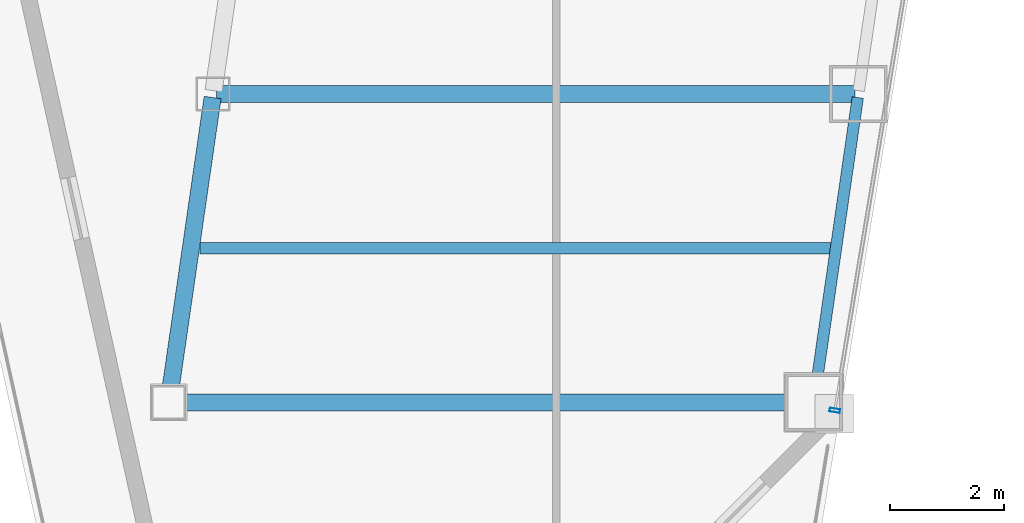
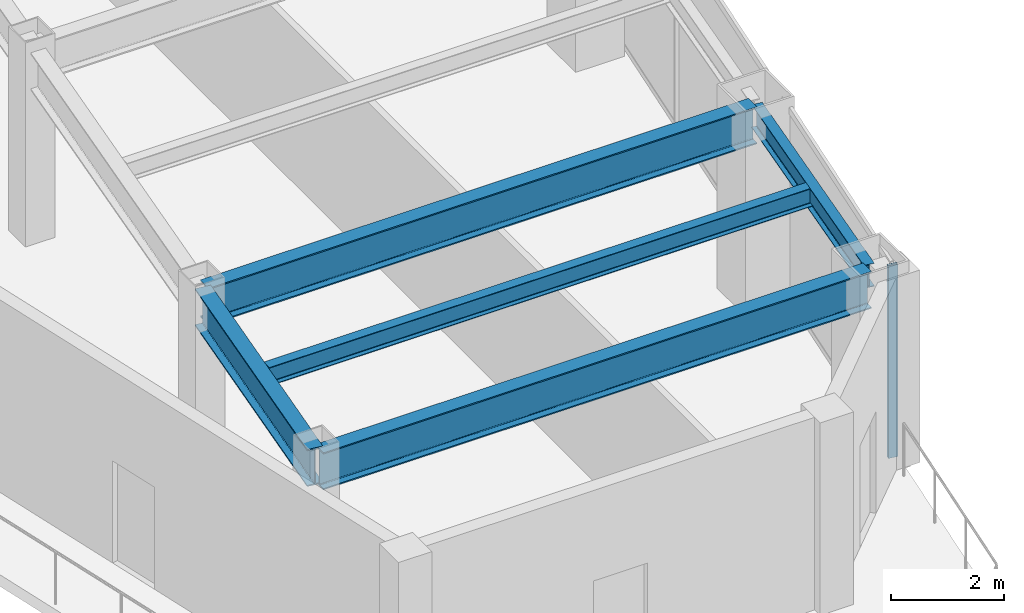
# One storey, part 10 of 35: 5 beams, 1 member, 1 element without a shape of its own.
"""IFC4 building model written with IfcOpenShell, lengths in metres."""

from ifc_helpers import new_model, si_unit, direction, frame, origin, origin_2d, place, context, subcontext, project, spatial, hollow_rectangle, i_section, extrude, material, material_profile, profile_set, type_object, element, aggregate, save


model = new_model("IFC4")

# Units and contexts
model_context = context("Model", 3, precision=1e-05, world=origin(), true_north=direction((0.0, 1.0)))
body_context = subcontext(model_context, "Body", "Model", "MODEL_VIEW")
ifc_project = project(units=[si_unit("LENGTHUNIT", "METRE"), si_unit("AREAUNIT", "SQUARE_METRE"), si_unit("VOLUMEUNIT", "CUBIC_METRE"), si_unit("PLANEANGLEUNIT", "RADIAN"), si_unit("MASSUNIT", "GRAM", prefix="KILO")], contexts=[model_context])

# Site, building, storey
site_placement = place(None, origin())
site = spatial("IfcSite", under=ifc_project, at=site_placement, CompositionType="ELEMENT")
building_placement = place(site_placement, origin())
building = spatial("IfcBuilding", under=site, at=building_placement, Name="Saevonmaru Cultural Tower", CompositionType="ELEMENT")
storey_placement = place(building_placement, frame((0.0, 0.0, 101.60009765625)))
storey = spatial("IfcBuildingStorey", under=building, at=storey_placement, Name="L21", CompositionType="ELEMENT", Elevation=101.60009765625)

# Beams
ifc_material_1 = material(Name="Steel SM420", Category="steel")
ifc_material_profile_1 = material_profile(ifc_material_1, i_section(OverallWidth=0.300048828125, OverallDepth=0.800048828125, WebThickness=0.013916015625, FlangeThickness=0.02587890625, FilletRadius=0.028076171875, at=origin_2d()), Name="H-800x300x14x26")
ifc_profile_set_1 = profile_set([ifc_material_profile_1], Name="Steel SM420")
beam_type_1 = type_object("IfcBeamType", Name="BM-G-H800", PredefinedType="BEAM", material=ifc_profile_set_1)
beam_1_placement = place(storey_placement, frame((37.300537109375, 10.659423828125, 3.75), z_axis=(0.142977693794, 0.989725911087, 0.0), x_axis=(-0.989725911087, 0.142977693794, 0.0)))
element("IfcBeam", 1, at=beam_1_placement, inside=storey, type_object=beam_type_1, Name="L21 East Atrium Girder 1", PredefinedType="BEAM", context=body_context, shape_type="SweptSolid", body=[
    extrude(i_section(OverallWidth=0.300048828125, OverallDepth=0.800048828125, WebThickness=0.013916015625, FlangeThickness=0.02587890625, FilletRadius=0.028076171875, at=origin_2d()), origin(), (0.0, 0.0, 1.0), 5.336181640625),
])
for number, where, z_axis, x_axis, name in (
    (2, (37.35205078125, 10.60009765625, 3.75), (1.0, 0.0, 0.0), (0.0, 1.0, 0.0), "L21 East Wing Transverse Girder 1"),
    (3, (38.132080078125, 16.0, 3.75), (1.0, 0.0, 0.0), (0.0, 1.0, 0.0), "L21 East Wing Transverse Girder 2"),
):
    element("IfcBeam", number, at=place(storey_placement, frame(where, z_axis=z_axis, x_axis=x_axis)), inside=storey, type_object=beam_type_1, Name=name, PredefinedType="BEAM", context=body_context, shape_type="SweptSolid", body=[
        extrude(i_section(OverallWidth=0.300048828125, OverallDepth=0.800048828125, WebThickness=0.013916015625, FlangeThickness=0.02587890625, FilletRadius=0.028076171875, at=origin_2d()), origin(), (0.0, 0.0, 1.0), 11.179931640625),
    ])
ifc_material_2 = material(Name="Steel SM355", Category="steel")
ifc_material_profile_2 = material_profile(ifc_material_2, i_section(OverallWidth=0.199951171875, OverallDepth=0.39990234375, WebThickness=0.008056640625, FlangeThickness=0.012939453125, FilletRadius=0.01611328125, at=origin_2d()), Name="H-400x200x8x13")
ifc_profile_set_2 = profile_set([ifc_material_profile_2], Name="Steel SM355")
beam_type_2 = type_object("IfcBeamType", Name="BM-J-H400", PredefinedType="JOIST", material=ifc_profile_set_2)
beam_2_placement = place(storey_placement, frame((37.840087890625, 13.300048828125, 3.949951171875), z_axis=(1.0, 0.0, 0.0), x_axis=(0.0, 1.0, 0.0)))
element("IfcBeam", 4, at=beam_2_placement, inside=storey, type_object=beam_type_2, Name="L21 East Wing Floor Joist 1", PredefinedType="JOIST", context=body_context, shape_type="SweptSolid", body=[
    extrude(i_section(OverallWidth=0.199951171875, OverallDepth=0.39990234375, WebThickness=0.008056640625, FlangeThickness=0.012939453125, FilletRadius=0.01611328125, at=origin_2d()), origin(), (0.0, 0.0, 1.0), 11.08203125),
])
ifc_material_profile_3 = material_profile(ifc_material_2, i_section(OverallWidth=0.199951171875, OverallDepth=0.5, WebThickness=0.010009765625, FlangeThickness=0.01611328125, FilletRadius=0.02001953125, at=origin_2d()), Name="H-500x200x10x16")
ifc_profile_set_3 = profile_set([ifc_material_profile_3], Name="Steel SM355")
beam_type_3 = type_object("IfcBeamType", Name="BM-SP-H500", PredefinedType="SPANDREL", material=ifc_profile_set_3)
beam_3_placement = place(storey_placement, frame((48.6005859375, 10.659423828125, 3.89990234375), z_axis=(0.1429328758, 0.989732384544, 0.0), x_axis=(-0.989732384544, 0.1429328758, 0.0)))
element("IfcBeam", 5, at=beam_3_placement, inside=storey, type_object=beam_type_3, Name="L21 East Splayed Spandrel 1", PredefinedType="SPANDREL", context=body_context, shape_type="SweptSolid", body=[
    extrude(i_section(OverallWidth=0.199951171875, OverallDepth=0.5, WebThickness=0.010009765625, FlangeThickness=0.01611328125, FilletRadius=0.02001953125, at=origin_2d()), origin(), (0.0, 0.0, 1.0), 5.3359375),
])

# Curtain wall, member
ifc_material_3 = material(Name="Satin Bronze Anodised Aluminium", Category="aluminium")
curtain_wall_type = type_object("IfcCurtainWallType", Name="CW-TYP-A", PredefinedType="NOTDEFINED", material=ifc_material_3)
curtain_wall_placement = place(storey_placement, origin())
curtain_wall = element("IfcCurtainWall", 6, at=curtain_wall_placement, inside=storey, type_object=curtain_wall_type, Name="L21 Unitised Curtain Wall E8", PredefinedType="NOTDEFINED")
ifc_material_profile_4 = material_profile(ifc_material_3, hollow_rectangle(XDim=0.06494140625, YDim=0.179931640625, WallThickness=0.00390625, at=origin_2d()), Name="ALU-MULL-180x65x4")
ifc_profile_set_4 = profile_set([ifc_material_profile_4], Name="Satin Bronze Anodised Aluminium")
member_type = type_object("IfcMemberType", Name="ML-CW-180x65", PredefinedType="MULLION", material=ifc_profile_set_4)
member_placement = place(storey_placement, frame((48.9609375, 10.459228515625, 0.0), z_axis=(0.0, 0.0, 1.0), x_axis=(0.163998702345, 0.986460554523, 0.0)))
member = element("IfcMember", 7, at=member_placement, type_object=member_type, Name="CW-TW-L21-E8 mullion 1", PredefinedType="MULLION", context=body_context, shape_type="SweptSolid", body=[
    extrude(hollow_rectangle(XDim=0.06494140625, YDim=0.179931640625, WallThickness=0.00390625, at=origin_2d()), origin(), (0.0, 0.0, 1.0), 4.14990234375),
])
aggregate(curtain_wall, [member])

save(model, "model.ifc")
